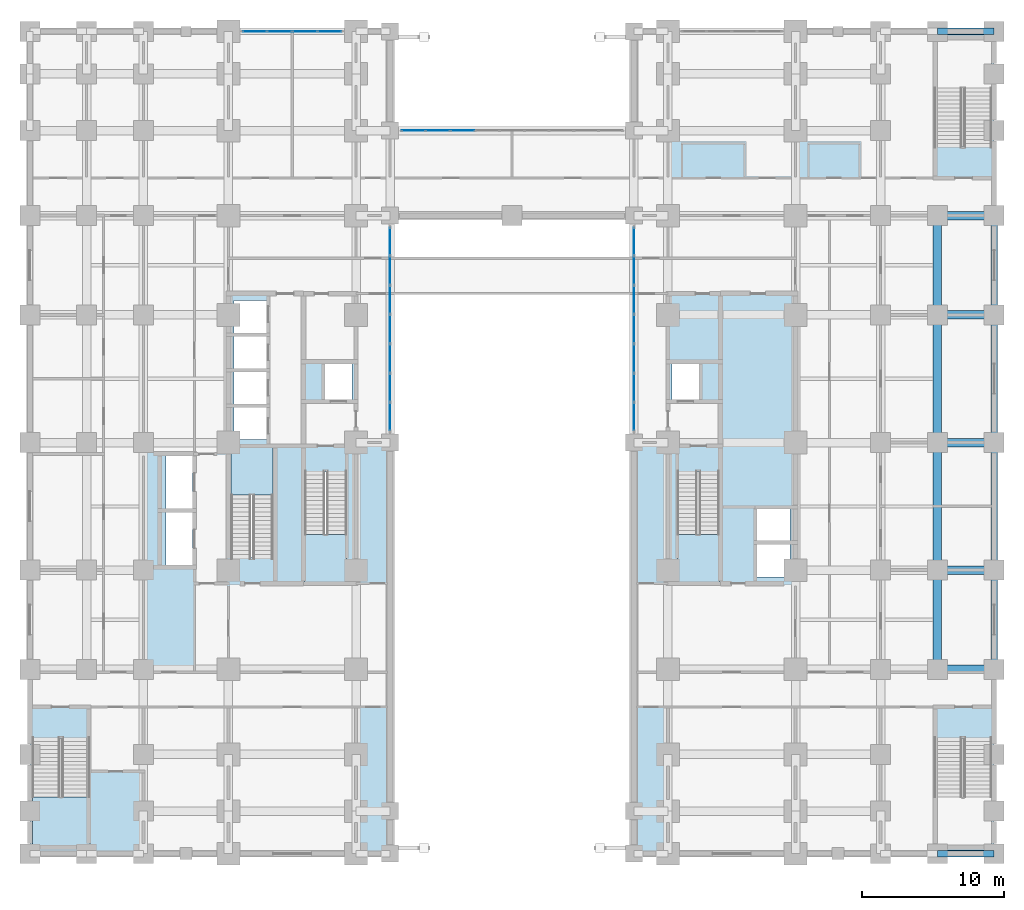
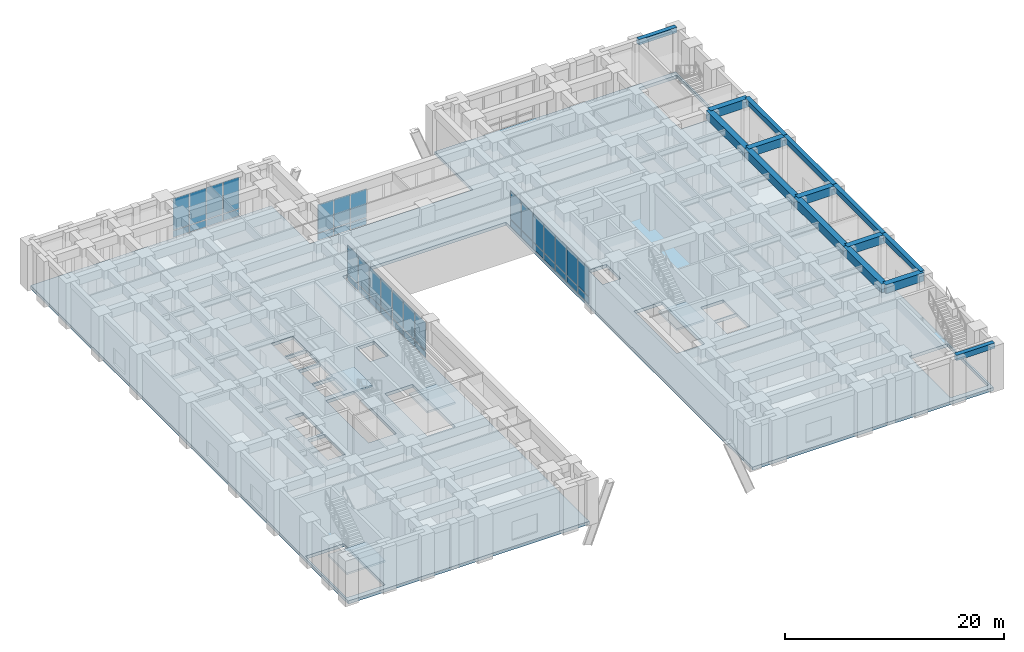
# One storey, part 8 of 23: 42 plates, 15 beams, 5 slabs, 8 elements without a shape of their own.
"""IFC4 building model written with IfcOpenShell, lengths in metres."""

from ifc_helpers import new_model, si_unit, direction, frame, origin, origin_2d, place, context, subcontext, project, spatial, polyline, rectangle, outline, extrude, material, layer, layer_set, material_profile, profile_set, type_object, element, aggregate, save


model = new_model("IFC4")

# Units and contexts
model_context = context("Model", 3, precision=1e-05, world=origin(), true_north=direction((0.0, 1.0)))
body_context = subcontext(model_context, "Body", "Model", "MODEL_VIEW")
ifc_project = project(units=[si_unit("LENGTHUNIT", "METRE"), si_unit("AREAUNIT", "SQUARE_METRE"), si_unit("VOLUMEUNIT", "CUBIC_METRE"), si_unit("PLANEANGLEUNIT", "RADIAN"), si_unit("MASSUNIT", "GRAM", prefix="KILO")], contexts=[model_context])

# Site, building, storey
site_placement = place(None, origin())
site = spatial("IfcSite", under=ifc_project, at=site_placement, CompositionType="ELEMENT")
building_placement = place(site_placement, origin())
building = spatial("IfcBuilding", under=site, at=building_placement, Name="Zulmaris Gate Convention Tower", CompositionType="ELEMENT")
storey_placement = place(building_placement, frame((0.0, 0.0, 10.8798828125)))
storey = spatial("IfcBuildingStorey", under=building, at=storey_placement, Name="L02", CompositionType="ELEMENT", Elevation=10.8798828125)

# Beams
ifc_material_1 = material(Name="Concrete C60/75", Category="concrete")
ifc_material_profile_1 = material_profile(ifc_material_1, rectangle(XDim=0.60009765625, YDim=0.949951171875, at=origin_2d()), Name="RC BEAM 600x950")
ifc_profile_set_1 = profile_set([ifc_material_profile_1], Name="Concrete C60/75")
beam_type_1 = type_object("IfcBeamType", Name="BM-RC600x950", PredefinedType="BEAM", material=ifc_profile_set_1)
for number, where, z_axis, x_axis, name in (
    (1, (30.0, -16.0, 4.615234375), (1.0, 0.0, 0.0), (0.0, 1.0, 0.0), "L02 Beam BM-L02-X--16.0-+30.0"),
    (2, (30.0, -9.0, 4.615234375), (1.0, 0.0, 0.0), (0.0, 1.0, 0.0), "L02 Beam BM-L02-X--9.0-+30.0"),
    (3, (30.0, 0.0, 4.615234375), (1.0, 0.0, 0.0), (0.0, 1.0, 0.0), "L02 Beam BM-L02-X-+0.0-+30.0"),
    (4, (30.0, 9.0, 4.615234375), (1.0, 0.0, 0.0), (0.0, 1.0, 0.0), "L02 Beam BM-L02-X-+9.0-+30.0"),
    (5, (30.0, 16.0, 4.615234375), (1.0, 0.0, 0.0), (0.0, 1.0, 0.0), "L02 Beam BM-L02-X-+16.0-+30.0"),
):
    element("IfcBeam", number, at=place(storey_placement, frame(where, z_axis=z_axis, x_axis=x_axis)), inside=storey, type_object=beam_type_1, Name=name, PredefinedType="BEAM", context=body_context, shape_type="SweptSolid", body=[
        extrude(rectangle(XDim=0.60009765625, YDim=0.949951171875, at=origin_2d()), origin(), (0.0, 0.0, 1.0), 4.0),
    ])
beam_1_placement = place(storey_placement, frame((30.0, -16.0, 4.615234375), z_axis=(0.0, 1.0, 0.0), x_axis=(-1.0, 0.0, 0.0)))
element("IfcBeam", 6, at=beam_1_placement, inside=storey, type_object=beam_type_1, Name="L02 Beam BM-L02-Y-+30.0--16.0", PredefinedType="BEAM", context=body_context, shape_type="SweptSolid", body=[
    extrude(rectangle(XDim=0.60009765625, YDim=0.949951171875, at=origin_2d()), origin(), (0.0, 0.0, 1.0), 7.0),
])
for number, where, z_axis, x_axis, name in (
    (7, (30.0, -9.0, 4.615234375), (0.0, 1.0, 0.0), (-1.0, 0.0, 0.0), "L02 Beam BM-L02-Y-+30.0--9.0"),
    (8, (30.0, 0.0, 4.615234375), (0.0, 1.0, 0.0), (-1.0, 0.0, 0.0), "L02 Beam BM-L02-Y-+30.0-+0.0"),
):
    element("IfcBeam", number, at=place(storey_placement, frame(where, z_axis=z_axis, x_axis=x_axis)), inside=storey, type_object=beam_type_1, Name=name, PredefinedType="BEAM", context=body_context, shape_type="SweptSolid", body=[
        extrude(rectangle(XDim=0.60009765625, YDim=0.949951171875, at=origin_2d()), origin(), (0.0, 0.0, 1.0), 9.0),
    ])
beam_2_placement = place(storey_placement, frame((30.0, 9.0, 4.615234375), z_axis=(0.0, 1.0, 0.0), x_axis=(-1.0, 0.0, 0.0)))
element("IfcBeam", 9, at=beam_2_placement, inside=storey, type_object=beam_type_1, Name="L02 Beam BM-L02-Y-+30.0-+9.0", PredefinedType="BEAM", context=body_context, shape_type="SweptSolid", body=[
    extrude(rectangle(XDim=0.60009765625, YDim=0.949951171875, at=origin_2d()), origin(), (0.0, 0.0, 1.0), 7.0),
])
ifc_material_2 = material(Name="Precast concrete C50/60", Category="concrete")
ifc_material_profile_2 = material_profile(ifc_material_2, rectangle(XDim=0.449951171875, YDim=0.60009765625, at=origin_2d()), Name="RC SPANDREL 450x600")
ifc_profile_set_2 = profile_set([ifc_material_profile_2], Name="Precast concrete C50/60")
beam_type_2 = type_object("IfcBeamType", Name="BM-SP450x600", PredefinedType="SPANDREL", material=ifc_profile_set_2)
for number, where, z_axis, x_axis, name in (
    (10, (30.0, -29.0, 4.790283203125), (1.0, 0.0, 0.0), (0.0, 1.0, 0.0), "L02 Spandrel BM-L02-X--29.0-+30.0"),
    (11, (30.0, 29.0, 4.790283203125), (1.0, 0.0, 0.0), (0.0, 1.0, 0.0), "L02 Spandrel BM-L02-X-+29.0-+30.0"),
):
    element("IfcBeam", number, at=place(storey_placement, frame(where, z_axis=z_axis, x_axis=x_axis)), inside=storey, type_object=beam_type_2, Name=name, PredefinedType="SPANDREL", context=body_context, shape_type="SweptSolid", body=[
        extrude(rectangle(XDim=0.449951171875, YDim=0.60009765625, at=origin_2d()), origin(), (0.0, 0.0, 1.0), 4.0),
    ])
beam_3_placement = place(storey_placement, frame((34.0, -16.0, 4.790283203125), z_axis=(0.0, 1.0, 0.0), x_axis=(-1.0, 0.0, 0.0)))
element("IfcBeam", 12, at=beam_3_placement, inside=storey, type_object=beam_type_2, Name="L02 Spandrel BM-L02-Y-+34.0--16.0", PredefinedType="SPANDREL", context=body_context, shape_type="SweptSolid", body=[
    extrude(rectangle(XDim=0.449951171875, YDim=0.60009765625, at=origin_2d()), origin(), (0.0, 0.0, 1.0), 7.0),
])
for number, where, z_axis, x_axis, name in (
    (13, (34.0, -9.0, 4.790283203125), (0.0, 1.0, 0.0), (-1.0, 0.0, 0.0), "L02 Spandrel BM-L02-Y-+34.0--9.0"),
    (14, (34.0, 0.0, 4.790283203125), (0.0, 1.0, 0.0), (-1.0, 0.0, 0.0), "L02 Spandrel BM-L02-Y-+34.0-+0.0"),
):
    element("IfcBeam", number, at=place(storey_placement, frame(where, z_axis=z_axis, x_axis=x_axis)), inside=storey, type_object=beam_type_2, Name=name, PredefinedType="SPANDREL", context=body_context, shape_type="SweptSolid", body=[
        extrude(rectangle(XDim=0.449951171875, YDim=0.60009765625, at=origin_2d()), origin(), (0.0, 0.0, 1.0), 9.0),
    ])
beam_4_placement = place(storey_placement, frame((34.0, 9.0, 4.790283203125), z_axis=(0.0, 1.0, 0.0), x_axis=(-1.0, 0.0, 0.0)))
element("IfcBeam", 15, at=beam_4_placement, inside=storey, type_object=beam_type_2, Name="L02 Spandrel BM-L02-Y-+34.0-+9.0", PredefinedType="SPANDREL", context=body_context, shape_type="SweptSolid", body=[
    extrude(rectangle(XDim=0.449951171875, YDim=0.60009765625, at=origin_2d()), origin(), (0.0, 0.0, 1.0), 7.0),
])

# Curtain wall, plates
ifc_material_3 = material(Name="Anodised Aluminium", Category="aluminium")
curtain_wall_type_1 = type_object("IfcCurtainWallType", Name="CW-02", PredefinedType="NOTDEFINED", material=ifc_material_3)
curtain_wall_1_placement = place(storey_placement, origin())
curtain_wall_1 = element("IfcCurtainWall", 16, at=curtain_wall_1_placement, inside=storey, type_object=curtain_wall_type_1, Name="CW-02 CW02-L02-WL_0", PredefinedType="NOTDEFINED")
ifc_material_4 = material(Name="Low-E Double Glazing", Category="glass")
ifc_layer_1 = layer(ifc_material_4, 0.028076171875, Name="Low-E Double Glazing")
ifc_layer_set_1 = layer_set([ifc_layer_1], Name="Low-E Double Glazing")
plate_type_1 = type_object("IfcPlateType", Name="CW-02-VISION", PredefinedType="CURTAIN_PANEL", material=ifc_layer_set_1)
plate_1_placement = place(storey_placement, frame((-8.60009765625, 1.81689453125, 0.08984375), z_axis=(0.0, 0.0, 1.0), x_axis=(0.0, 1.0, 0.0)))
plate_1 = element("IfcPlate", 17, at=plate_1_placement, type_object=plate_type_1, Name="CW-02 panel 1.1", PredefinedType="CURTAIN_PANEL", context=body_context, shape_type="SweptSolid", body=[
    extrude(rectangle(XDim=1.93359375, YDim=0.028076171875, at=origin_2d()), origin(), (0.0, 0.0, 1.0), 0.715087890625),
])
plate_2_placement = place(storey_placement, frame((-8.60009765625, 1.81689453125, 0.89501953125), z_axis=(0.0, 0.0, 1.0), x_axis=(0.0, 1.0, 0.0)))
plate_2 = element("IfcPlate", 18, at=plate_2_placement, type_object=plate_type_1, Name="CW-02 panel 1.2", PredefinedType="CURTAIN_PANEL", context=body_context, shape_type="SweptSolid", body=[
    extrude(rectangle(XDim=1.93359375, YDim=0.028076171875, at=origin_2d()), origin(), (0.0, 0.0, 1.0), 3.147216796875),
])
plate_3_placement = place(storey_placement, frame((-8.60009765625, 3.86279296875, 0.08984375), z_axis=(0.0, 0.0, 1.0), x_axis=(0.0, 1.0, 0.0)))
plate_3 = element("IfcPlate", 19, at=plate_3_placement, type_object=plate_type_1, Name="CW-02 panel 2.1", PredefinedType="CURTAIN_PANEL", context=body_context, shape_type="SweptSolid", body=[
    extrude(rectangle(XDim=1.978515625, YDim=0.028076171875, at=origin_2d()), origin(), (0.0, 0.0, 1.0), 0.715087890625),
])
plate_4_placement = place(storey_placement, frame((-8.60009765625, 3.86279296875, 0.89501953125), z_axis=(0.0, 0.0, 1.0), x_axis=(0.0, 1.0, 0.0)))
plate_4 = element("IfcPlate", 20, at=plate_4_placement, type_object=plate_type_1, Name="CW-02 panel 2.2", PredefinedType="CURTAIN_PANEL", context=body_context, shape_type="SweptSolid", body=[
    extrude(rectangle(XDim=1.978515625, YDim=0.028076171875, at=origin_2d()), origin(), (0.0, 0.0, 1.0), 3.147216796875),
])
plate_5_placement = place(storey_placement, frame((-8.60009765625, 5.931396484375, 0.08984375), z_axis=(0.0, 0.0, 1.0), x_axis=(0.0, 1.0, 0.0)))
plate_5 = element("IfcPlate", 21, at=plate_5_placement, type_object=plate_type_1, Name="CW-02 panel 3.1", PredefinedType="CURTAIN_PANEL", context=body_context, shape_type="SweptSolid", body=[
    extrude(rectangle(XDim=1.978515625, YDim=0.028076171875, at=origin_2d()), origin(), (0.0, 0.0, 1.0), 0.715087890625),
])
plate_6_placement = place(storey_placement, frame((-8.60009765625, 5.931396484375, 0.89501953125), z_axis=(0.0, 0.0, 1.0), x_axis=(0.0, 1.0, 0.0)))
plate_6 = element("IfcPlate", 22, at=plate_6_placement, type_object=plate_type_1, Name="CW-02 panel 3.2", PredefinedType="CURTAIN_PANEL", context=body_context, shape_type="SweptSolid", body=[
    extrude(rectangle(XDim=1.978515625, YDim=0.028076171875, at=origin_2d()), origin(), (0.0, 0.0, 1.0), 3.147216796875),
])
plate_7_placement = place(storey_placement, frame((-8.60009765625, 8.0, 0.08984375), z_axis=(0.0, 0.0, 1.0), x_axis=(0.0, 1.0, 0.0)))
plate_7 = element("IfcPlate", 23, at=plate_7_placement, type_object=plate_type_1, Name="CW-02 panel 4.1", PredefinedType="CURTAIN_PANEL", context=body_context, shape_type="SweptSolid", body=[
    extrude(rectangle(XDim=1.978515625, YDim=0.028076171875, at=origin_2d()), origin(), (0.0, 0.0, 1.0), 0.715087890625),
])
plate_8_placement = place(storey_placement, frame((-8.60009765625, 8.0, 0.89501953125), z_axis=(0.0, 0.0, 1.0), x_axis=(0.0, 1.0, 0.0)))
plate_8 = element("IfcPlate", 24, at=plate_8_placement, type_object=plate_type_1, Name="CW-02 panel 4.2", PredefinedType="CURTAIN_PANEL", context=body_context, shape_type="SweptSolid", body=[
    extrude(rectangle(XDim=1.978515625, YDim=0.028076171875, at=origin_2d()), origin(), (0.0, 0.0, 1.0), 3.147216796875),
])
plate_9_placement = place(storey_placement, frame((-8.60009765625, 10.068603515625, 0.08984375), z_axis=(0.0, 0.0, 1.0), x_axis=(0.0, 1.0, 0.0)))
plate_9 = element("IfcPlate", 25, at=plate_9_placement, type_object=plate_type_1, Name="CW-02 panel 5.1", PredefinedType="CURTAIN_PANEL", context=body_context, shape_type="SweptSolid", body=[
    extrude(rectangle(XDim=1.978515625, YDim=0.028076171875, at=origin_2d()), origin(), (0.0, 0.0, 1.0), 0.715087890625),
])
plate_10_placement = place(storey_placement, frame((-8.60009765625, 10.068603515625, 0.89501953125), z_axis=(0.0, 0.0, 1.0), x_axis=(0.0, 1.0, 0.0)))
plate_10 = element("IfcPlate", 26, at=plate_10_placement, type_object=plate_type_1, Name="CW-02 panel 5.2", PredefinedType="CURTAIN_PANEL", context=body_context, shape_type="SweptSolid", body=[
    extrude(rectangle(XDim=1.978515625, YDim=0.028076171875, at=origin_2d()), origin(), (0.0, 0.0, 1.0), 3.147216796875),
])
plate_11_placement = place(storey_placement, frame((-8.60009765625, 12.13720703125, 0.08984375), z_axis=(0.0, 0.0, 1.0), x_axis=(0.0, 1.0, 0.0)))
plate_11 = element("IfcPlate", 27, at=plate_11_placement, type_object=plate_type_1, Name="CW-02 panel 6.1", PredefinedType="CURTAIN_PANEL", context=body_context, shape_type="SweptSolid", body=[
    extrude(rectangle(XDim=1.978515625, YDim=0.028076171875, at=origin_2d()), origin(), (0.0, 0.0, 1.0), 0.715087890625),
])
plate_12_placement = place(storey_placement, frame((-8.60009765625, 12.13720703125, 0.89501953125), z_axis=(0.0, 0.0, 1.0), x_axis=(0.0, 1.0, 0.0)))
plate_12 = element("IfcPlate", 28, at=plate_12_placement, type_object=plate_type_1, Name="CW-02 panel 6.2", PredefinedType="CURTAIN_PANEL", context=body_context, shape_type="SweptSolid", body=[
    extrude(rectangle(XDim=1.978515625, YDim=0.028076171875, at=origin_2d()), origin(), (0.0, 0.0, 1.0), 3.147216796875),
])
plate_13_placement = place(storey_placement, frame((-8.60009765625, 14.18310546875, 0.08984375), z_axis=(0.0, 0.0, 1.0), x_axis=(0.0, 1.0, 0.0)))
plate_13 = element("IfcPlate", 29, at=plate_13_placement, type_object=plate_type_1, Name="CW-02 panel 7.1", PredefinedType="CURTAIN_PANEL", context=body_context, shape_type="SweptSolid", body=[
    extrude(rectangle(XDim=1.93359375, YDim=0.028076171875, at=origin_2d()), origin(), (0.0, 0.0, 1.0), 0.715087890625),
])
plate_14_placement = place(storey_placement, frame((-8.60009765625, 14.18310546875, 0.89501953125), z_axis=(0.0, 0.0, 1.0), x_axis=(0.0, 1.0, 0.0)))
plate_14 = element("IfcPlate", 30, at=plate_14_placement, type_object=plate_type_1, Name="CW-02 panel 7.2", PredefinedType="CURTAIN_PANEL", context=body_context, shape_type="SweptSolid", body=[
    extrude(rectangle(XDim=1.93359375, YDim=0.028076171875, at=origin_2d()), origin(), (0.0, 0.0, 1.0), 3.147216796875),
])
aggregate(curtain_wall_1, [plate_1, plate_2, plate_3, plate_4, plate_5, plate_6, plate_7, plate_8, plate_9, plate_10, plate_11, plate_12, plate_13, plate_14])

curtain_wall_2_placement = place(storey_placement, origin())
curtain_wall_2 = element("IfcCurtainWall", 31, at=curtain_wall_2_placement, inside=storey, type_object=curtain_wall_type_1, Name="CW-02 CW02-L02-EL_0", PredefinedType="NOTDEFINED")
plate_15_placement = place(storey_placement, frame((8.60009765625, 14.18310546875, 0.08984375), z_axis=(0.0, 0.0, 1.0), x_axis=(0.0, -1.0, 0.0)))
plate_15 = element("IfcPlate", 32, at=plate_15_placement, type_object=plate_type_1, Name="CW-02 panel 1.1", PredefinedType="CURTAIN_PANEL", context=body_context, shape_type="SweptSolid", body=[
    extrude(rectangle(XDim=1.93359375, YDim=0.028076171875, at=origin_2d()), origin(), (0.0, 0.0, 1.0), 0.715087890625),
])
plate_16_placement = place(storey_placement, frame((8.60009765625, 14.18310546875, 0.89501953125), z_axis=(0.0, 0.0, 1.0), x_axis=(0.0, -1.0, 0.0)))
plate_16 = element("IfcPlate", 33, at=plate_16_placement, type_object=plate_type_1, Name="CW-02 panel 1.2", PredefinedType="CURTAIN_PANEL", context=body_context, shape_type="SweptSolid", body=[
    extrude(rectangle(XDim=1.93359375, YDim=0.028076171875, at=origin_2d()), origin(), (0.0, 0.0, 1.0), 3.147216796875),
])
plate_17_placement = place(storey_placement, frame((8.60009765625, 12.13720703125, 0.08984375), z_axis=(0.0, 0.0, 1.0), x_axis=(0.0, -1.0, 0.0)))
plate_17 = element("IfcPlate", 34, at=plate_17_placement, type_object=plate_type_1, Name="CW-02 panel 2.1", PredefinedType="CURTAIN_PANEL", context=body_context, shape_type="SweptSolid", body=[
    extrude(rectangle(XDim=1.978515625, YDim=0.028076171875, at=origin_2d()), origin(), (0.0, 0.0, 1.0), 0.715087890625),
])
plate_18_placement = place(storey_placement, frame((8.60009765625, 12.13720703125, 0.89501953125), z_axis=(0.0, 0.0, 1.0), x_axis=(0.0, -1.0, 0.0)))
plate_18 = element("IfcPlate", 35, at=plate_18_placement, type_object=plate_type_1, Name="CW-02 panel 2.2", PredefinedType="CURTAIN_PANEL", context=body_context, shape_type="SweptSolid", body=[
    extrude(rectangle(XDim=1.978515625, YDim=0.028076171875, at=origin_2d()), origin(), (0.0, 0.0, 1.0), 3.147216796875),
])
plate_19_placement = place(storey_placement, frame((8.60009765625, 10.068603515625, 0.08984375), z_axis=(0.0, 0.0, 1.0), x_axis=(0.0, -1.0, 0.0)))
plate_19 = element("IfcPlate", 36, at=plate_19_placement, type_object=plate_type_1, Name="CW-02 panel 3.1", PredefinedType="CURTAIN_PANEL", context=body_context, shape_type="SweptSolid", body=[
    extrude(rectangle(XDim=1.978515625, YDim=0.028076171875, at=origin_2d()), origin(), (0.0, 0.0, 1.0), 0.715087890625),
])
plate_20_placement = place(storey_placement, frame((8.60009765625, 10.068603515625, 0.89501953125), z_axis=(0.0, 0.0, 1.0), x_axis=(0.0, -1.0, 0.0)))
plate_20 = element("IfcPlate", 37, at=plate_20_placement, type_object=plate_type_1, Name="CW-02 panel 3.2", PredefinedType="CURTAIN_PANEL", context=body_context, shape_type="SweptSolid", body=[
    extrude(rectangle(XDim=1.978515625, YDim=0.028076171875, at=origin_2d()), origin(), (0.0, 0.0, 1.0), 3.147216796875),
])
plate_21_placement = place(storey_placement, frame((8.60009765625, 8.0, 0.08984375), z_axis=(0.0, 0.0, 1.0), x_axis=(0.0, -1.0, 0.0)))
plate_21 = element("IfcPlate", 38, at=plate_21_placement, type_object=plate_type_1, Name="CW-02 panel 4.1", PredefinedType="CURTAIN_PANEL", context=body_context, shape_type="SweptSolid", body=[
    extrude(rectangle(XDim=1.978515625, YDim=0.028076171875, at=origin_2d()), origin(), (0.0, 0.0, 1.0), 0.715087890625),
])
plate_22_placement = place(storey_placement, frame((8.60009765625, 8.0, 0.89501953125), z_axis=(0.0, 0.0, 1.0), x_axis=(0.0, -1.0, 0.0)))
plate_22 = element("IfcPlate", 39, at=plate_22_placement, type_object=plate_type_1, Name="CW-02 panel 4.2", PredefinedType="CURTAIN_PANEL", context=body_context, shape_type="SweptSolid", body=[
    extrude(rectangle(XDim=1.978515625, YDim=0.028076171875, at=origin_2d()), origin(), (0.0, 0.0, 1.0), 3.147216796875),
])
plate_23_placement = place(storey_placement, frame((8.60009765625, 5.931396484375, 0.08984375), z_axis=(0.0, 0.0, 1.0), x_axis=(0.0, -1.0, 0.0)))
plate_23 = element("IfcPlate", 40, at=plate_23_placement, type_object=plate_type_1, Name="CW-02 panel 5.1", PredefinedType="CURTAIN_PANEL", context=body_context, shape_type="SweptSolid", body=[
    extrude(rectangle(XDim=1.978515625, YDim=0.028076171875, at=origin_2d()), origin(), (0.0, 0.0, 1.0), 0.715087890625),
])
plate_24_placement = place(storey_placement, frame((8.60009765625, 5.931396484375, 0.89501953125), z_axis=(0.0, 0.0, 1.0), x_axis=(0.0, -1.0, 0.0)))
plate_24 = element("IfcPlate", 41, at=plate_24_placement, type_object=plate_type_1, Name="CW-02 panel 5.2", PredefinedType="CURTAIN_PANEL", context=body_context, shape_type="SweptSolid", body=[
    extrude(rectangle(XDim=1.978515625, YDim=0.028076171875, at=origin_2d()), origin(), (0.0, 0.0, 1.0), 3.147216796875),
])
plate_25_placement = place(storey_placement, frame((8.60009765625, 3.86279296875, 0.08984375), z_axis=(0.0, 0.0, 1.0), x_axis=(0.0, -1.0, 0.0)))
plate_25 = element("IfcPlate", 42, at=plate_25_placement, type_object=plate_type_1, Name="CW-02 panel 6.1", PredefinedType="CURTAIN_PANEL", context=body_context, shape_type="SweptSolid", body=[
    extrude(rectangle(XDim=1.978515625, YDim=0.028076171875, at=origin_2d()), origin(), (0.0, 0.0, 1.0), 0.715087890625),
])
plate_26_placement = place(storey_placement, frame((8.60009765625, 3.86279296875, 0.89501953125), z_axis=(0.0, 0.0, 1.0), x_axis=(0.0, -1.0, 0.0)))
plate_26 = element("IfcPlate", 43, at=plate_26_placement, type_object=plate_type_1, Name="CW-02 panel 6.2", PredefinedType="CURTAIN_PANEL", context=body_context, shape_type="SweptSolid", body=[
    extrude(rectangle(XDim=1.978515625, YDim=0.028076171875, at=origin_2d()), origin(), (0.0, 0.0, 1.0), 3.147216796875),
])
plate_27_placement = place(storey_placement, frame((8.60009765625, 1.81689453125, 0.08984375), z_axis=(0.0, 0.0, 1.0), x_axis=(0.0, -1.0, 0.0)))
plate_27 = element("IfcPlate", 44, at=plate_27_placement, type_object=plate_type_1, Name="CW-02 panel 7.1", PredefinedType="CURTAIN_PANEL", context=body_context, shape_type="SweptSolid", body=[
    extrude(rectangle(XDim=1.93359375, YDim=0.028076171875, at=origin_2d()), origin(), (0.0, 0.0, 1.0), 0.715087890625),
])
plate_28_placement = place(storey_placement, frame((8.60009765625, 1.81689453125, 0.89501953125), z_axis=(0.0, 0.0, 1.0), x_axis=(0.0, -1.0, 0.0)))
plate_28 = element("IfcPlate", 45, at=plate_28_placement, type_object=plate_type_1, Name="CW-02 panel 7.2", PredefinedType="CURTAIN_PANEL", context=body_context, shape_type="SweptSolid", body=[
    extrude(rectangle(XDim=1.93359375, YDim=0.028076171875, at=origin_2d()), origin(), (0.0, 0.0, 1.0), 3.147216796875),
])
aggregate(curtain_wall_2, [plate_15, plate_16, plate_17, plate_18, plate_19, plate_20, plate_21, plate_22, plate_23, plate_24, plate_25, plate_26, plate_27, plate_28])

curtain_wall_type_2 = type_object("IfcCurtainWallType", Name="CW-03", PredefinedType="NOTDEFINED", material=ifc_material_3)
curtain_wall_3_placement = place(storey_placement, origin())
curtain_wall_3 = element("IfcCurtainWall", 46, at=curtain_wall_3_placement, inside=storey, type_object=curtain_wall_type_2, Name="CW-03 CW03-L02-N-20_0", PredefinedType="NOTDEFINED")
ifc_layer_2 = layer(ifc_material_4, 0.028076171875, Name="Low-E Double Glazing")
ifc_layer_set_2 = layer_set([ifc_layer_2], Name="Low-E Double Glazing")
plate_type_2 = type_object("IfcPlateType", Name="CW-03-VISION", PredefinedType="CURTAIN_PANEL", material=ifc_layer_set_2)
plate_29_placement = place(storey_placement, frame((-12.86376953125, 29.0, 0.0751953125), z_axis=(0.0, 0.0, 1.0), x_axis=(-1.0, 0.0, 0.0)))
plate_29 = element("IfcPlate", 47, at=plate_29_placement, type_object=plate_type_2, Name="CW-03 panel 1.1", PredefinedType="CURTAIN_PANEL", context=body_context, shape_type="SweptSolid", body=[
    extrude(rectangle(XDim=1.657470703125, YDim=0.028076171875, at=origin_2d()), origin(), (0.0, 0.0, 1.0), 0.737548828125),
])
plate_30_placement = place(storey_placement, frame((-12.86376953125, 29.0, 0.8876953125), z_axis=(0.0, 0.0, 1.0), x_axis=(-1.0, 0.0, 0.0)))
plate_30 = element("IfcPlate", 48, at=plate_30_placement, type_object=plate_type_2, Name="CW-03 panel 1.2", PredefinedType="CURTAIN_PANEL", context=body_context, shape_type="SweptSolid", body=[
    extrude(rectangle(XDim=1.657470703125, YDim=0.028076171875, at=origin_2d()), origin(), (0.0, 0.0, 1.0), 3.519775390625),
])
plate_31_placement = place(storey_placement, frame((-14.614990234375, 29.0, 0.0751953125), z_axis=(0.0, 0.0, 1.0), x_axis=(-1.0, 0.0, 0.0)))
plate_31 = element("IfcPlate", 49, at=plate_31_placement, type_object=plate_type_2, Name="CW-03 panel 2.1", PredefinedType="CURTAIN_PANEL", context=body_context, shape_type="SweptSolid", body=[
    extrude(rectangle(XDim=1.695068359375, YDim=0.028076171875, at=origin_2d()), origin(), (0.0, 0.0, 1.0), 0.737548828125),
])
plate_32_placement = place(storey_placement, frame((-14.614990234375, 29.0, 0.8876953125), z_axis=(0.0, 0.0, 1.0), x_axis=(-1.0, 0.0, 0.0)))
plate_32 = element("IfcPlate", 50, at=plate_32_placement, type_object=plate_type_2, Name="CW-03 panel 2.2", PredefinedType="CURTAIN_PANEL", context=body_context, shape_type="SweptSolid", body=[
    extrude(rectangle(XDim=1.695068359375, YDim=0.028076171875, at=origin_2d()), origin(), (0.0, 0.0, 1.0), 3.519775390625),
])
plate_33_placement = place(storey_placement, frame((-16.385009765625, 29.0, 0.0751953125), z_axis=(0.0, 0.0, 1.0), x_axis=(-1.0, 0.0, 0.0)))
plate_33 = element("IfcPlate", 51, at=plate_33_placement, type_object=plate_type_2, Name="CW-03 panel 3.1", PredefinedType="CURTAIN_PANEL", context=body_context, shape_type="SweptSolid", body=[
    extrude(rectangle(XDim=1.695068359375, YDim=0.028076171875, at=origin_2d()), origin(), (0.0, 0.0, 1.0), 0.737548828125),
])
plate_34_placement = place(storey_placement, frame((-16.385009765625, 29.0, 0.8876953125), z_axis=(0.0, 0.0, 1.0), x_axis=(-1.0, 0.0, 0.0)))
plate_34 = element("IfcPlate", 52, at=plate_34_placement, type_object=plate_type_2, Name="CW-03 panel 3.2", PredefinedType="CURTAIN_PANEL", context=body_context, shape_type="SweptSolid", body=[
    extrude(rectangle(XDim=1.695068359375, YDim=0.028076171875, at=origin_2d()), origin(), (0.0, 0.0, 1.0), 3.519775390625),
])
plate_35_placement = place(storey_placement, frame((-18.13623046875, 29.0, 0.0751953125), z_axis=(0.0, 0.0, 1.0), x_axis=(-1.0, 0.0, 0.0)))
plate_35 = element("IfcPlate", 53, at=plate_35_placement, type_object=plate_type_2, Name="CW-03 panel 4.1", PredefinedType="CURTAIN_PANEL", context=body_context, shape_type="SweptSolid", body=[
    extrude(rectangle(XDim=1.657470703125, YDim=0.028076171875, at=origin_2d()), origin(), (0.0, 0.0, 1.0), 0.737548828125),
])
plate_36_placement = place(storey_placement, frame((-18.13623046875, 29.0, 0.8876953125), z_axis=(0.0, 0.0, 1.0), x_axis=(-1.0, 0.0, 0.0)))
plate_36 = element("IfcPlate", 54, at=plate_36_placement, type_object=plate_type_2, Name="CW-03 panel 4.2", PredefinedType="CURTAIN_PANEL", context=body_context, shape_type="SweptSolid", body=[
    extrude(rectangle(XDim=1.657470703125, YDim=0.028076171875, at=origin_2d()), origin(), (0.0, 0.0, 1.0), 3.519775390625),
])
aggregate(curtain_wall_3, [plate_29, plate_30, plate_31, plate_32, plate_33, plate_34, plate_35, plate_36])

curtain_wall_4_placement = place(storey_placement, origin())
curtain_wall_4 = element("IfcCurtainWall", 55, at=curtain_wall_4_placement, inside=storey, type_object=curtain_wall_type_2, Name="CW-03 CW03-L02-NARCH_0", PredefinedType="NOTDEFINED")
plate_37_placement = place(storey_placement, frame((-3.484375, 22.0, 0.0751953125), z_axis=(0.0, 0.0, 1.0), x_axis=(-1.0, 0.0, 0.0)))
plate_37 = element("IfcPlate", 56, at=plate_37_placement, type_object=plate_type_2, Name="CW-03 panel 7.1", PredefinedType="CURTAIN_PANEL", context=body_context, shape_type="SweptSolid", body=[
    extrude(rectangle(XDim=1.667236328125, YDim=0.028076171875, at=origin_2d()), origin(), (0.0, 0.0, 1.0), 0.737548828125),
])
plate_38_placement = place(storey_placement, frame((-3.484375, 22.0, 0.8876953125), z_axis=(0.0, 0.0, 1.0), x_axis=(-1.0, 0.0, 0.0)))
plate_38 = element("IfcPlate", 57, at=plate_38_placement, type_object=plate_type_2, Name="CW-03 panel 7.2", PredefinedType="CURTAIN_PANEL", context=body_context, shape_type="SweptSolid", body=[
    extrude(rectangle(XDim=1.667236328125, YDim=0.028076171875, at=origin_2d()), origin(), (0.0, 0.0, 1.0), 3.169677734375),
])
plate_39_placement = place(storey_placement, frame((-5.2265625, 22.0, 0.0751953125), z_axis=(0.0, 0.0, 1.0), x_axis=(-1.0, 0.0, 0.0)))
plate_39 = element("IfcPlate", 58, at=plate_39_placement, type_object=plate_type_2, Name="CW-03 panel 8.1", PredefinedType="CURTAIN_PANEL", context=body_context, shape_type="SweptSolid", body=[
    extrude(rectangle(XDim=1.667236328125, YDim=0.028076171875, at=origin_2d()), origin(), (0.0, 0.0, 1.0), 0.737548828125),
])
plate_40_placement = place(storey_placement, frame((-5.2265625, 22.0, 0.8876953125), z_axis=(0.0, 0.0, 1.0), x_axis=(-1.0, 0.0, 0.0)))
plate_40 = element("IfcPlate", 59, at=plate_40_placement, type_object=plate_type_2, Name="CW-03 panel 8.2", PredefinedType="CURTAIN_PANEL", context=body_context, shape_type="SweptSolid", body=[
    extrude(rectangle(XDim=1.667236328125, YDim=0.028076171875, at=origin_2d()), origin(), (0.0, 0.0, 1.0), 3.169677734375),
])
plate_41_placement = place(storey_placement, frame((-6.9501953125, 22.0, 0.0751953125), z_axis=(0.0, 0.0, 1.0), x_axis=(-1.0, 0.0, 0.0)))
plate_41 = element("IfcPlate", 60, at=plate_41_placement, type_object=plate_type_2, Name="CW-03 panel 9.1", PredefinedType="CURTAIN_PANEL", context=body_context, shape_type="SweptSolid", body=[
    extrude(rectangle(XDim=1.629638671875, YDim=0.028076171875, at=origin_2d()), origin(), (0.0, 0.0, 1.0), 0.737548828125),
])
plate_42_placement = place(storey_placement, frame((-6.9501953125, 22.0, 0.8876953125), z_axis=(0.0, 0.0, 1.0), x_axis=(-1.0, 0.0, 0.0)))
plate_42 = element("IfcPlate", 61, at=plate_42_placement, type_object=plate_type_2, Name="CW-03 panel 9.2", PredefinedType="CURTAIN_PANEL", context=body_context, shape_type="SweptSolid", body=[
    extrude(rectangle(XDim=1.629638671875, YDim=0.028076171875, at=origin_2d()), origin(), (0.0, 0.0, 1.0), 3.169677734375),
])
aggregate(curtain_wall_4, [plate_37, plate_38, plate_39, plate_40, plate_41, plate_42])

# Slab
ifc_material_5 = material(Name="Concrete C50/60", Category="concrete")
ifc_layer_3 = layer(ifc_material_5, 0.35009765625, Name="Concrete C50/60")
ifc_layer_set_3 = layer_set([ifc_layer_3], Name="Concrete C50/60")
slab_type_1 = type_object("IfcSlabType", Name="SL-FLR-350", PredefinedType="FLOOR", material=ifc_layer_set_3)
slab_1_placement = place(storey_placement, frame((0.0, 0.0, -0.35009765625)))
element("IfcSlab", 62, at=slab_1_placement, inside=storey, type_object=slab_type_1, Name="L02 Convention Podium Floor Slab", PredefinedType="FLOOR", context=body_context, shape_type="SweptSolid", body=[
    extrude(outline(polyline([(-34.0, -29.0), (-8.60009765625, -29.0), (-8.60009765625, 16.0), (8.60009765625, 16.0), (8.60009765625, -29.0), (34.0, -29.0), (34.0, 29.0), (8.60009765625, 29.0), (8.60009765625, 22.0), (-8.60009765625, 22.0), (-8.60009765625, 29.0), (-34.0, 29.0), (-34.0, -29.0)]), holes=[polyline([(-14.6201171875, -2.080078125), (-14.6201171875, -9.85009765625), (-11.659912109375, -9.85009765625), (-11.659912109375, -2.080078125), (-14.6201171875, -2.080078125)]), polyline([(11.659912109375, -2.080078125), (11.659912109375, -9.85009765625), (14.6201171875, -9.85009765625), (14.6201171875, -2.080078125), (11.659912109375, -2.080078125)]), polyline([(-16.860107421875, -8.1201171875), (-16.860107421875, -0.35009765625), (-19.820068359375, -0.35009765625), (-19.820068359375, -8.1201171875), (-16.860107421875, -8.1201171875)]), polyline([(-33.830078125, -20.8798828125), (-33.830078125, -28.449951171875), (-29.780029296875, -28.449951171875), (-29.780029296875, -20.8798828125), (-33.830078125, -20.8798828125)]), polyline([(33.830078125, 20.8798828125), (33.830078125, 28.449951171875), (29.780029296875, 28.449951171875), (29.780029296875, 20.8798828125), (33.830078125, 20.8798828125)]), polyline([(29.780029296875, -20.8798828125), (29.780029296875, -28.449951171875), (33.830078125, -28.449951171875), (33.830078125, -20.8798828125), (29.780029296875, -20.8798828125)]), polyline([(-13.199951171875, 3.0), (-11.300048828125, 3.0), (-11.300048828125, 5.60009765625), (-13.199951171875, 5.60009765625), (-13.199951171875, 3.0)]), polyline([(11.300048828125, 3.0), (13.199951171875, 3.0), (13.199951171875, 5.60009765625), (11.300048828125, 5.60009765625), (11.300048828125, 3.0)]), polyline([(-19.60009765625, 0.199951171875), (-17.300048828125, 0.199951171875), (-17.300048828125, 2.5), (-19.60009765625, 2.5), (-19.60009765625, 0.199951171875)]), polyline([(-19.60009765625, 2.699951171875), (-17.300048828125, 2.699951171875), (-17.300048828125, 5.0), (-19.60009765625, 5.0), (-19.60009765625, 2.699951171875)]), polyline([(-19.60009765625, 5.199951171875), (-17.300048828125, 5.199951171875), (-17.300048828125, 7.5), (-19.60009765625, 7.5), (-19.60009765625, 5.199951171875)]), polyline([(-19.60009765625, 7.699951171875), (-17.300048828125, 7.699951171875), (-17.300048828125, 10.0), (-19.60009765625, 10.0), (-19.60009765625, 7.699951171875)]), polyline([(17.199951171875, -9.5), (19.60009765625, -9.5), (19.60009765625, -7.10009765625), (17.199951171875, -7.10009765625), (17.199951171875, -9.5)]), polyline([(17.199951171875, -7.0), (19.60009765625, -7.0), (19.60009765625, -4.60009765625), (17.199951171875, -4.60009765625), (17.199951171875, -7.0)]), polyline([(-24.39990234375, -8.64990234375), (-22.550048828125, -8.64990234375), (-22.550048828125, -4.949951171875), (-24.39990234375, -4.949951171875), (-24.39990234375, -8.64990234375)]), polyline([(-24.39990234375, -4.64990234375), (-22.550048828125, -4.64990234375), (-22.550048828125, -0.949951171875), (-24.39990234375, -0.949951171875), (-24.39990234375, -4.64990234375)])]), origin(), (0.0, 0.0, 1.0), 0.35009765625),
])

# Stair, slab
ifc_material_6 = material(Name="Concrete C45/55", Category="concrete")
stair_type_1 = type_object("IfcStairType", Name="ST-CORE-DOGLEG", PredefinedType="HALF_TURN_STAIR", material=ifc_material_6)
stair_1_placement = place(storey_placement, origin())
stair_1 = element("IfcStair", 63, at=stair_1_placement, inside=storey, type_object=stair_type_1, Name="L02 Core Exit Stair ST-1", PredefinedType="HALF_TURN_STAIR")
ifc_layer_4 = layer(ifc_material_6, 0.199951171875, Name="Concrete C45/55")
ifc_layer_set_4 = layer_set([ifc_layer_4], Name="Concrete C45/55")
slab_type_2 = type_object("IfcSlabType", Name="SL-LND-200", PredefinedType="LANDING", material=ifc_layer_set_4)
slab_2_placement = place(storey_placement, frame((0.0, 0.0, 2.52001953125)))
slab_2 = element("IfcSlab", 64, at=slab_2_placement, type_object=slab_type_2, Name="ST-1 landing 1", PredefinedType="LANDING", context=body_context, shape_type="SweptSolid", body=[
    extrude(outline(polyline([(-14.6201171875, -6.5), (-14.6201171875, -9.85009765625), (-11.659912109375, -9.85009765625), (-11.659912109375, -6.5), (-14.6201171875, -6.5)])), origin(), (0.0, 0.0, 1.0), 0.2001953125),
])
aggregate(stair_1, [slab_2])

stair_2_placement = place(storey_placement, origin())
stair_2 = element("IfcStair", 65, at=stair_2_placement, inside=storey, type_object=stair_type_1, Name="L02 Core Exit Stair ST-2", PredefinedType="HALF_TURN_STAIR")
slab_3_placement = place(storey_placement, frame((0.0, 0.0, 2.52001953125)))
slab_3 = element("IfcSlab", 66, at=slab_3_placement, type_object=slab_type_2, Name="ST-2 landing 1", PredefinedType="LANDING", context=body_context, shape_type="SweptSolid", body=[
    extrude(outline(polyline([(11.659912109375, -6.5), (11.659912109375, -9.85009765625), (14.6201171875, -9.85009765625), (14.6201171875, -6.5), (11.659912109375, -6.5)])), origin(), (0.0, 0.0, 1.0), 0.2001953125),
])
aggregate(stair_2, [slab_3])

stair_3_placement = place(storey_placement, origin())
stair_3 = element("IfcStair", 67, at=stair_3_placement, inside=storey, type_object=stair_type_1, Name="L02 Core Exit Stair ST-3", PredefinedType="HALF_TURN_STAIR")
slab_4_placement = place(storey_placement, frame((0.0, 0.0, 2.52001953125)))
slab_4 = element("IfcSlab", 68, at=slab_4_placement, type_object=slab_type_2, Name="ST-3 landing 1", PredefinedType="LANDING", context=body_context, shape_type="SweptSolid", body=[
    extrude(outline(polyline([(-16.860107421875, -3.699951171875), (-16.860107421875, -0.35009765625), (-19.820068359375, -0.35009765625), (-19.820068359375, -3.699951171875), (-16.860107421875, -3.699951171875)])), origin(), (0.0, 0.0, 1.0), 0.2001953125),
])
aggregate(stair_3, [slab_4])

stair_type_2 = type_object("IfcStairType", Name="ST-POD-DOGLEG", PredefinedType="HALF_TURN_STAIR", material=ifc_material_6)
stair_4_placement = place(storey_placement, origin())
stair_4 = element("IfcStair", 69, at=stair_4_placement, inside=storey, type_object=stair_type_2, Name="L02 Podium Exit Stair ST-4", PredefinedType="HALF_TURN_STAIR")
slab_5_placement = place(storey_placement, frame((0.0, 0.0, 2.52001953125)))
slab_5 = element("IfcSlab", 70, at=slab_5_placement, type_object=slab_type_2, Name="ST-4 landing 1", PredefinedType="LANDING", context=body_context, shape_type="SweptSolid", body=[
    extrude(outline(polyline([(-33.830078125, -25.0), (-33.830078125, -28.449951171875), (-29.780029296875, -28.449951171875), (-29.780029296875, -25.0), (-33.830078125, -25.0)])), origin(), (0.0, 0.0, 1.0), 0.2001953125),
])
aggregate(stair_4, [slab_5])

save(model, "model.ifc")
